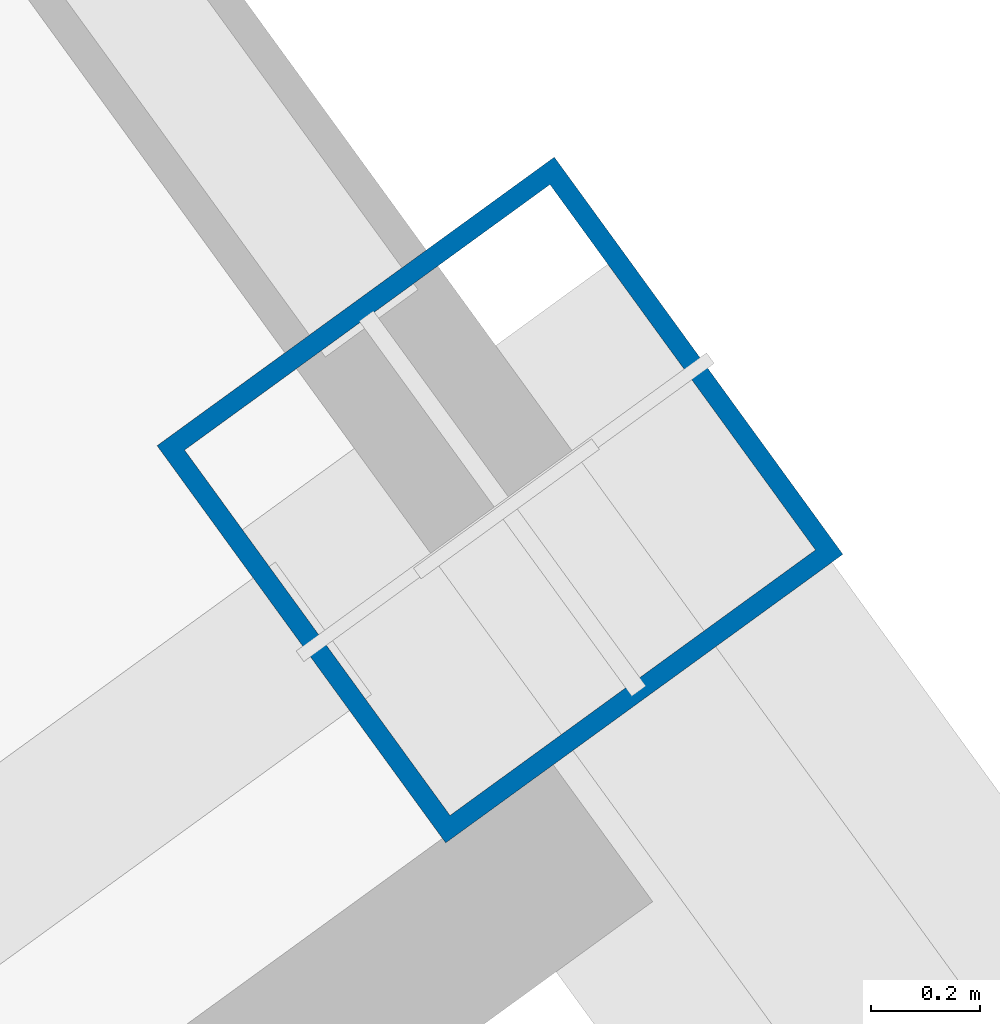
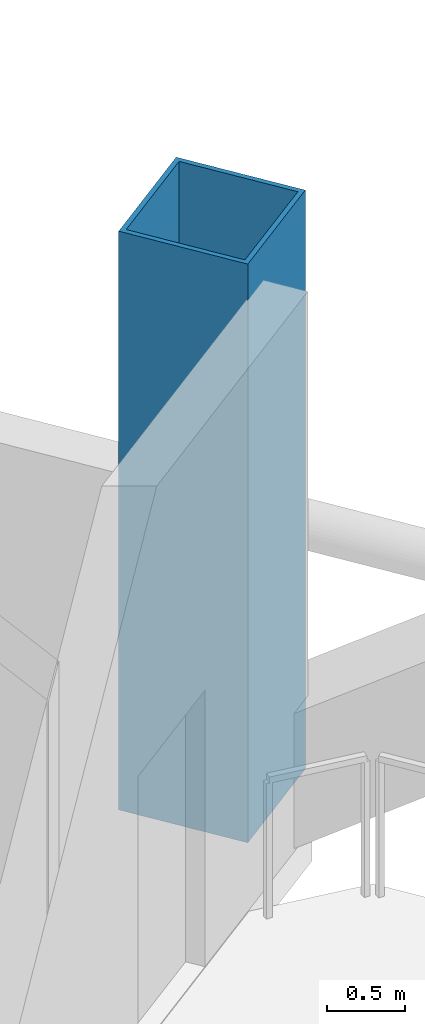
# One storey, part 3 of 32: 1 column.
"""IFC4 building model written with IfcOpenShell, lengths in metres."""

from ifc_helpers import new_model, si_unit, direction, frame, origin, origin_2d, place, context, subcontext, project, spatial, hollow_rectangle, extrude, source, transform, mapped, material, material_profile, profile_set, type_object, element, save


model = new_model("IFC4")

# Units and contexts
model_context = context("Model", 3, precision=1e-05, world=origin(), true_north=direction((0.0, 1.0)))
body_context = subcontext(model_context, "Body", "Model", "MODEL_VIEW")
ifc_project = project(units=[si_unit("LENGTHUNIT", "METRE"), si_unit("AREAUNIT", "SQUARE_METRE"), si_unit("VOLUMEUNIT", "CUBIC_METRE"), si_unit("PLANEANGLEUNIT", "RADIAN"), si_unit("MASSUNIT", "GRAM", prefix="KILO")], contexts=[model_context])

# Site, building, storey
site_placement = place(None, origin())
site = spatial("IfcSite", under=ifc_project, at=site_placement, CompositionType="ELEMENT")
building_placement = place(site_placement, origin())
building = spatial("IfcBuilding", under=site, at=building_placement, Name="Tlacorven Tower", CompositionType="ELEMENT")
storey_placement = place(building_placement, frame((0.0, 0.0, 123.300048828125)))
storey = spatial("IfcBuildingStorey", under=building, at=storey_placement, Name="L31", CompositionType="ELEMENT", Elevation=123.300048828125)

# Column
ifc_material = material(Name="Steel S460M", Category="steel")
ifc_material_profile = material_profile(ifc_material, hollow_rectangle(XDim=0.89990234375, YDim=0.89990234375, WallThickness=0.035888671875, at=origin_2d()), Name="BOX 900X900X36")
ifc_profile_set = profile_set([ifc_material_profile], Name="Steel S460M")
column_type = type_object("IfcColumnType", Name="COL-TWR-S2", PredefinedType="COLUMN", material=ifc_profile_set)
shared_shape = source(origin(), body_context, "Body", "SweptSolid", [
    extrude(hollow_rectangle(XDim=0.89990234375, YDim=0.89990234375, WallThickness=0.035888671875, at=origin_2d()), origin(), (0.0, 0.0, 1.0), 4.5),
])
column_placement = place(storey_placement, frame((67.267822265625, 23.353515625, 0.0), z_axis=(0.0, 0.0, 1.0), x_axis=(0.809016994375, 0.587785252292, 0.0)))
element("IfcColumn", 1, at=column_placement, inside=storey, type_object=column_type, Name="L31 column COL-L31-E4-1", PredefinedType="COLUMN", context=body_context, shape_type="MappedRepresentation", body=[
    mapped(shared_shape, transform((0.0, 0.0, 0.0), scale=1.0)),
])

save(model, "model.ifc")
